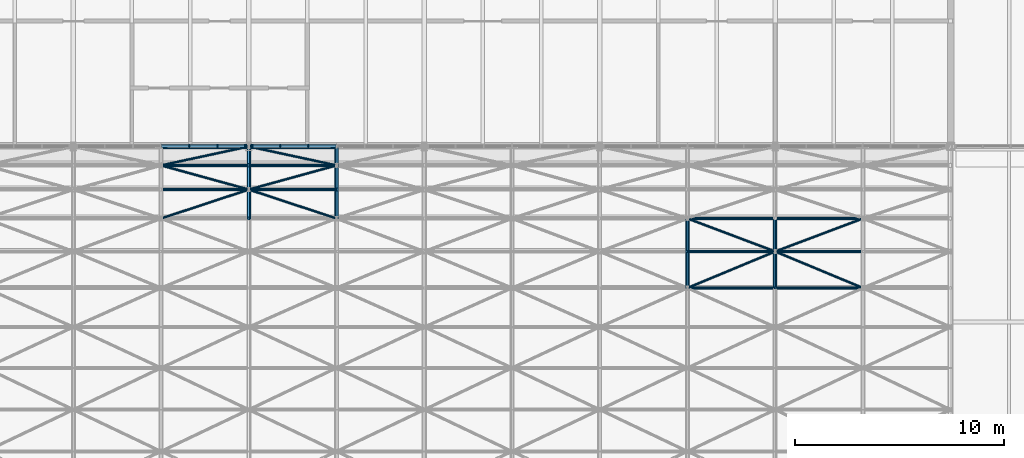
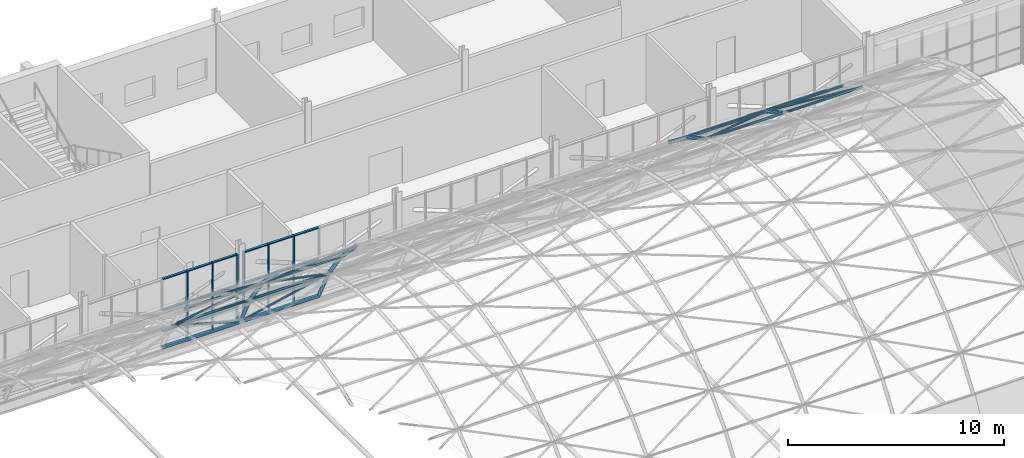
# One storey, part 53 of 121: 62 members, 2 elements without a shape of their own.
"""IFC4 building model written with IfcOpenShell, lengths in metres."""

from ifc_helpers import new_model, si_unit, direction, frame, origin, origin_2d, place, context, subcontext, project, spatial, rectangle, hollow_circle, extrude, material, layer, layer_set, material_profile, profile_set, type_object, element, aggregate, save


model = new_model("IFC4")

# Units and contexts
model_context = context("Model", 3, precision=1e-05, world=origin(), true_north=direction((0.0, 1.0)))
body_context = subcontext(model_context, "Body", "Model", "MODEL_VIEW")
ifc_project = project(units=[si_unit("LENGTHUNIT", "METRE"), si_unit("AREAUNIT", "SQUARE_METRE"), si_unit("VOLUMEUNIT", "CUBIC_METRE"), si_unit("PLANEANGLEUNIT", "RADIAN"), si_unit("MASSUNIT", "GRAM", prefix="KILO")], contexts=[model_context])

# Site, building, storey
site_placement = place(None, origin())
site = spatial("IfcSite", under=ifc_project, at=site_placement, CompositionType="ELEMENT")
building_placement = place(site_placement, origin())
building = spatial("IfcBuilding", under=site, at=building_placement, Name="Ardhachandra Cancer Care Centre", CompositionType="ELEMENT")
storey_placement = place(building_placement, frame((0.0, 0.0, 9.0)))
storey = spatial("IfcBuildingStorey", under=building, at=storey_placement, Name="L02", CompositionType="ELEMENT", Elevation=9.0)

# Curtain wall, members
ifc_material_1 = material(Name="Aluminium extrusion", Category="aluminium")
ifc_layer = layer(ifc_material_1, 0.14990234375)
ifc_layer_set = layer_set([ifc_layer], Name="Aluminium extrusion")
curtain_wall_type = type_object("IfcCurtainWallType", Name="Curtain wall run", PredefinedType="NOTDEFINED", material=ifc_layer_set)
curtain_wall_1_placement = place(storey_placement, origin())
curtain_wall_1 = element("IfcCurtainWall", 1, at=curtain_wall_1_placement, inside=storey, type_object=curtain_wall_type, Name="Curtain wall L02 s/0069600_0079800", PredefinedType="NOTDEFINED")
ifc_material_2 = material(Name="Aluminium extrusion", Category="aluminium")
ifc_material_profile_1 = material_profile(ifc_material_2, rectangle(XDim=0.159912109375, YDim=0.06005859375, at=origin_2d()), Name="Curtain wall mullion 60 x 160")
ifc_profile_set_1 = profile_set([ifc_material_profile_1], Name="Aluminium extrusion")
member_type_1 = type_object("IfcMemberType", Name="Curtain wall mullion 60 x 160", PredefinedType="MULLION", material=ifc_profile_set_1)
member_1_placement = place(storey_placement, frame((75.14990234375, 79.800048828125, 0.0), z_axis=(0.0, 0.0, 1.0), x_axis=(0.0, 1.0, 0.0)))
member_1 = element("IfcMember", 2, at=member_1_placement, type_object=member_type_1, Name="CW mullion 5", PredefinedType="MULLION", context=body_context, shape_type="SweptSolid", body=[
    extrude(rectangle(XDim=0.159912109375, YDim=0.06005859375, at=origin_2d()), origin(), (0.0, 0.0, 1.0), 3.885986328125),
])
member_2_placement = place(storey_placement, frame((76.5, 79.800048828125, 0.0), z_axis=(0.0, 0.0, 1.0), x_axis=(0.0, 1.0, 0.0)))
member_2 = element("IfcMember", 3, at=member_2_placement, type_object=member_type_1, Name="CW mullion 6", PredefinedType="MULLION", context=body_context, shape_type="SweptSolid", body=[
    extrude(rectangle(XDim=0.159912109375, YDim=0.06005859375, at=origin_2d()), origin(), (0.0, 0.0, 1.0), 3.885986328125),
])
member_3_placement = place(storey_placement, frame((77.820068359375, 79.800048828125, 0.0), z_axis=(0.0, 0.0, 1.0), x_axis=(0.0, 1.0, 0.0)))
member_3 = element("IfcMember", 4, at=member_3_placement, type_object=member_type_1, Name="CW mullion 7", PredefinedType="MULLION", context=body_context, shape_type="SweptSolid", body=[
    extrude(rectangle(XDim=0.159912109375, YDim=0.06005859375, at=origin_2d()), origin(), (0.0, 0.0, 1.0), 3.885986328125),
])

curtain_wall_2_placement = place(storey_placement, origin())
curtain_wall_2 = element("IfcCurtainWall", 5, at=curtain_wall_2_placement, inside=storey, type_object=curtain_wall_type, Name="Curtain wall L02 s/0078000_0079800", PredefinedType="NOTDEFINED")
member_4_placement = place(storey_placement, frame((78.179931640625, 79.800048828125, 0.0), z_axis=(0.0, 0.0, 1.0), x_axis=(0.0, 1.0, 0.0)))
member_4 = element("IfcMember", 6, at=member_4_placement, type_object=member_type_1, Name="CW mullion 1", PredefinedType="MULLION", context=body_context, shape_type="SweptSolid", body=[
    extrude(rectangle(XDim=0.159912109375, YDim=0.06005859375, at=origin_2d()), origin(), (0.0, 0.0, 1.0), 3.885986328125),
])
member_5_placement = place(storey_placement, frame((79.5, 79.800048828125, 0.0), z_axis=(0.0, 0.0, 1.0), x_axis=(0.0, 1.0, 0.0)))
member_5 = element("IfcMember", 7, at=member_5_placement, type_object=member_type_1, Name="CW mullion 2", PredefinedType="MULLION", context=body_context, shape_type="SweptSolid", body=[
    extrude(rectangle(XDim=0.159912109375, YDim=0.06005859375, at=origin_2d()), origin(), (0.0, 0.0, 1.0), 3.885986328125),
])
member_6_placement = place(storey_placement, frame((80.85009765625, 79.800048828125, 0.0), z_axis=(0.0, 0.0, 1.0), x_axis=(0.0, 1.0, 0.0)))
member_6 = element("IfcMember", 8, at=member_6_placement, type_object=member_type_1, Name="CW mullion 3", PredefinedType="MULLION", context=body_context, shape_type="SweptSolid", body=[
    extrude(rectangle(XDim=0.159912109375, YDim=0.06005859375, at=origin_2d()), origin(), (0.0, 0.0, 1.0), 3.885986328125),
])

# Member
ifc_material_3 = material(Name="Aluminium extrusion", Category="aluminium")
ifc_material_profile_2 = material_profile(ifc_material_3, rectangle(XDim=0.1201171875, YDim=0.06005859375, at=origin_2d()), Name="Curtain wall transom 60 x 120")
ifc_profile_set_2 = profile_set([ifc_material_profile_2], Name="Aluminium extrusion")
member_type_2 = type_object("IfcMemberType", Name="Curtain wall transom 60 x 120", PredefinedType="USERDEFINED", material=ifc_profile_set_2)
member_7_placement = place(storey_placement, frame((73.830078125, 79.800048828125, 0.030029296875), z_axis=(1.0, 0.0, 0.0), x_axis=(0.0, 1.0, 0.0)))
member_7 = element("IfcMember", 9, at=member_7_placement, type_object=member_type_2, Name="CW transom 4.1", ObjectType="TRANSOM", PredefinedType="USERDEFINED", context=body_context, shape_type="SweptSolid", body=[
    extrude(rectangle(XDim=0.1201171875, YDim=0.06005859375, at=origin_2d()), origin(), (0.0, 0.0, 1.0), 1.2900390625),
])

member_8_placement = place(storey_placement, frame((73.830078125, 79.800048828125, 0.89990234375), z_axis=(1.0, 0.0, 0.0), x_axis=(0.0, 1.0, 0.0)))
member_8 = element("IfcMember", 10, at=member_8_placement, type_object=member_type_2, Name="CW transom 4.2", ObjectType="TRANSOM", PredefinedType="USERDEFINED", context=body_context, shape_type="SweptSolid", body=[
    extrude(rectangle(XDim=0.1201171875, YDim=0.06005859375, at=origin_2d()), origin(), (0.0, 0.0, 1.0), 1.2900390625),
])

member_9_placement = place(storey_placement, frame((73.830078125, 79.800048828125, 2.10009765625), z_axis=(1.0, 0.0, 0.0), x_axis=(0.0, 1.0, 0.0)))
member_9 = element("IfcMember", 11, at=member_9_placement, type_object=member_type_2, Name="CW transom 4.3", ObjectType="TRANSOM", PredefinedType="USERDEFINED", context=body_context, shape_type="SweptSolid", body=[
    extrude(rectangle(XDim=0.1201171875, YDim=0.06005859375, at=origin_2d()), origin(), (0.0, 0.0, 1.0), 1.2900390625),
])

member_10_placement = place(storey_placement, frame((73.830078125, 79.800048828125, 3.85595703125), z_axis=(1.0, 0.0, 0.0), x_axis=(0.0, 1.0, 0.0)))
member_10 = element("IfcMember", 12, at=member_10_placement, type_object=member_type_2, Name="CW transom 4.4", ObjectType="TRANSOM", PredefinedType="USERDEFINED", context=body_context, shape_type="SweptSolid", body=[
    extrude(rectangle(XDim=0.1201171875, YDim=0.06005859375, at=origin_2d()), origin(), (0.0, 0.0, 1.0), 1.2900390625),
])

member_11_placement = place(storey_placement, frame((75.179931640625, 79.800048828125, 0.030029296875), z_axis=(1.0, 0.0, 0.0), x_axis=(0.0, 1.0, 0.0)))
member_11 = element("IfcMember", 13, at=member_11_placement, type_object=member_type_2, Name="CW transom 5.1", ObjectType="TRANSOM", PredefinedType="USERDEFINED", context=body_context, shape_type="SweptSolid", body=[
    extrude(rectangle(XDim=0.1201171875, YDim=0.06005859375, at=origin_2d()), origin(), (0.0, 0.0, 1.0), 1.2900390625),
])

member_12_placement = place(storey_placement, frame((75.179931640625, 79.800048828125, 0.89990234375), z_axis=(1.0, 0.0, 0.0), x_axis=(0.0, 1.0, 0.0)))
member_12 = element("IfcMember", 14, at=member_12_placement, type_object=member_type_2, Name="CW transom 5.2", ObjectType="TRANSOM", PredefinedType="USERDEFINED", context=body_context, shape_type="SweptSolid", body=[
    extrude(rectangle(XDim=0.1201171875, YDim=0.06005859375, at=origin_2d()), origin(), (0.0, 0.0, 1.0), 1.2900390625),
])

member_13_placement = place(storey_placement, frame((75.179931640625, 79.800048828125, 2.10009765625), z_axis=(1.0, 0.0, 0.0), x_axis=(0.0, 1.0, 0.0)))
member_13 = element("IfcMember", 15, at=member_13_placement, type_object=member_type_2, Name="CW transom 5.3", ObjectType="TRANSOM", PredefinedType="USERDEFINED", context=body_context, shape_type="SweptSolid", body=[
    extrude(rectangle(XDim=0.1201171875, YDim=0.06005859375, at=origin_2d()), origin(), (0.0, 0.0, 1.0), 1.2900390625),
])

member_14_placement = place(storey_placement, frame((75.179931640625, 79.800048828125, 3.85595703125), z_axis=(1.0, 0.0, 0.0), x_axis=(0.0, 1.0, 0.0)))
member_14 = element("IfcMember", 16, at=member_14_placement, type_object=member_type_2, Name="CW transom 5.4", ObjectType="TRANSOM", PredefinedType="USERDEFINED", context=body_context, shape_type="SweptSolid", body=[
    extrude(rectangle(XDim=0.1201171875, YDim=0.06005859375, at=origin_2d()), origin(), (0.0, 0.0, 1.0), 1.2900390625),
])

member_15_placement = place(storey_placement, frame((76.530029296875, 79.800048828125, 0.030029296875), z_axis=(1.0, 0.0, 0.0), x_axis=(0.0, 1.0, 0.0)))
member_15 = element("IfcMember", 17, at=member_15_placement, type_object=member_type_2, Name="CW transom 6.1", ObjectType="TRANSOM", PredefinedType="USERDEFINED", context=body_context, shape_type="SweptSolid", body=[
    extrude(rectangle(XDim=0.1201171875, YDim=0.06005859375, at=origin_2d()), origin(), (0.0, 0.0, 1.0), 1.260009765625),
])

member_16_placement = place(storey_placement, frame((76.530029296875, 79.800048828125, 0.89990234375), z_axis=(1.0, 0.0, 0.0), x_axis=(0.0, 1.0, 0.0)))
member_16 = element("IfcMember", 18, at=member_16_placement, type_object=member_type_2, Name="CW transom 6.2", ObjectType="TRANSOM", PredefinedType="USERDEFINED", context=body_context, shape_type="SweptSolid", body=[
    extrude(rectangle(XDim=0.1201171875, YDim=0.06005859375, at=origin_2d()), origin(), (0.0, 0.0, 1.0), 1.260009765625),
])

member_17_placement = place(storey_placement, frame((76.530029296875, 79.800048828125, 2.10009765625), z_axis=(1.0, 0.0, 0.0), x_axis=(0.0, 1.0, 0.0)))
member_17 = element("IfcMember", 19, at=member_17_placement, type_object=member_type_2, Name="CW transom 6.3", ObjectType="TRANSOM", PredefinedType="USERDEFINED", context=body_context, shape_type="SweptSolid", body=[
    extrude(rectangle(XDim=0.1201171875, YDim=0.06005859375, at=origin_2d()), origin(), (0.0, 0.0, 1.0), 1.260009765625),
])

member_18_placement = place(storey_placement, frame((76.530029296875, 79.800048828125, 3.85595703125), z_axis=(1.0, 0.0, 0.0), x_axis=(0.0, 1.0, 0.0)))
member_18 = element("IfcMember", 20, at=member_18_placement, type_object=member_type_2, Name="CW transom 6.4", ObjectType="TRANSOM", PredefinedType="USERDEFINED", context=body_context, shape_type="SweptSolid", body=[
    extrude(rectangle(XDim=0.1201171875, YDim=0.06005859375, at=origin_2d()), origin(), (0.0, 0.0, 1.0), 1.260009765625),
])

aggregate(curtain_wall_1, [member_1, member_2, member_3, member_7, member_8, member_9, member_10, member_11, member_12, member_13, member_14, member_15, member_16, member_17, member_18])

member_19_placement = place(storey_placement, frame((78.2099609375, 79.800048828125, 0.030029296875), z_axis=(1.0, 0.0, 0.0), x_axis=(0.0, 1.0, 0.0)))
member_19 = element("IfcMember", 21, at=member_19_placement, type_object=member_type_2, Name="CW transom 1.1", ObjectType="TRANSOM", PredefinedType="USERDEFINED", context=body_context, shape_type="SweptSolid", body=[
    extrude(rectangle(XDim=0.1201171875, YDim=0.06005859375, at=origin_2d()), origin(), (0.0, 0.0, 1.0), 1.260009765625),
])

member_20_placement = place(storey_placement, frame((78.2099609375, 79.800048828125, 0.89990234375), z_axis=(1.0, 0.0, 0.0), x_axis=(0.0, 1.0, 0.0)))
member_20 = element("IfcMember", 22, at=member_20_placement, type_object=member_type_2, Name="CW transom 1.2", ObjectType="TRANSOM", PredefinedType="USERDEFINED", context=body_context, shape_type="SweptSolid", body=[
    extrude(rectangle(XDim=0.1201171875, YDim=0.06005859375, at=origin_2d()), origin(), (0.0, 0.0, 1.0), 1.260009765625),
])

member_21_placement = place(storey_placement, frame((78.2099609375, 79.800048828125, 2.10009765625), z_axis=(1.0, 0.0, 0.0), x_axis=(0.0, 1.0, 0.0)))
member_21 = element("IfcMember", 23, at=member_21_placement, type_object=member_type_2, Name="CW transom 1.3", ObjectType="TRANSOM", PredefinedType="USERDEFINED", context=body_context, shape_type="SweptSolid", body=[
    extrude(rectangle(XDim=0.1201171875, YDim=0.06005859375, at=origin_2d()), origin(), (0.0, 0.0, 1.0), 1.260009765625),
])

member_22_placement = place(storey_placement, frame((78.2099609375, 79.800048828125, 3.85595703125), z_axis=(1.0, 0.0, 0.0), x_axis=(0.0, 1.0, 0.0)))
member_22 = element("IfcMember", 24, at=member_22_placement, type_object=member_type_2, Name="CW transom 1.4", ObjectType="TRANSOM", PredefinedType="USERDEFINED", context=body_context, shape_type="SweptSolid", body=[
    extrude(rectangle(XDim=0.1201171875, YDim=0.06005859375, at=origin_2d()), origin(), (0.0, 0.0, 1.0), 1.260009765625),
])

member_23_placement = place(storey_placement, frame((79.530029296875, 79.800048828125, 0.030029296875), z_axis=(1.0, 0.0, 0.0), x_axis=(0.0, 1.0, 0.0)))
member_23 = element("IfcMember", 25, at=member_23_placement, type_object=member_type_2, Name="CW transom 2.1", ObjectType="TRANSOM", PredefinedType="USERDEFINED", context=body_context, shape_type="SweptSolid", body=[
    extrude(rectangle(XDim=0.1201171875, YDim=0.06005859375, at=origin_2d()), origin(), (0.0, 0.0, 1.0), 1.2900390625),
])

member_24_placement = place(storey_placement, frame((79.530029296875, 79.800048828125, 0.89990234375), z_axis=(1.0, 0.0, 0.0), x_axis=(0.0, 1.0, 0.0)))
member_24 = element("IfcMember", 26, at=member_24_placement, type_object=member_type_2, Name="CW transom 2.2", ObjectType="TRANSOM", PredefinedType="USERDEFINED", context=body_context, shape_type="SweptSolid", body=[
    extrude(rectangle(XDim=0.1201171875, YDim=0.06005859375, at=origin_2d()), origin(), (0.0, 0.0, 1.0), 1.2900390625),
])

member_25_placement = place(storey_placement, frame((79.530029296875, 79.800048828125, 2.10009765625), z_axis=(1.0, 0.0, 0.0), x_axis=(0.0, 1.0, 0.0)))
member_25 = element("IfcMember", 27, at=member_25_placement, type_object=member_type_2, Name="CW transom 2.3", ObjectType="TRANSOM", PredefinedType="USERDEFINED", context=body_context, shape_type="SweptSolid", body=[
    extrude(rectangle(XDim=0.1201171875, YDim=0.06005859375, at=origin_2d()), origin(), (0.0, 0.0, 1.0), 1.2900390625),
])

member_26_placement = place(storey_placement, frame((79.530029296875, 79.800048828125, 3.85595703125), z_axis=(1.0, 0.0, 0.0), x_axis=(0.0, 1.0, 0.0)))
member_26 = element("IfcMember", 28, at=member_26_placement, type_object=member_type_2, Name="CW transom 2.4", ObjectType="TRANSOM", PredefinedType="USERDEFINED", context=body_context, shape_type="SweptSolid", body=[
    extrude(rectangle(XDim=0.1201171875, YDim=0.06005859375, at=origin_2d()), origin(), (0.0, 0.0, 1.0), 1.2900390625),
])

member_27_placement = place(storey_placement, frame((80.8798828125, 79.800048828125, 0.030029296875), z_axis=(1.0, 0.0, 0.0), x_axis=(0.0, 1.0, 0.0)))
member_27 = element("IfcMember", 29, at=member_27_placement, type_object=member_type_2, Name="CW transom 3.1", ObjectType="TRANSOM", PredefinedType="USERDEFINED", context=body_context, shape_type="SweptSolid", body=[
    extrude(rectangle(XDim=0.1201171875, YDim=0.06005859375, at=origin_2d()), origin(), (0.0, 0.0, 1.0), 1.2900390625),
])

member_28_placement = place(storey_placement, frame((80.8798828125, 79.800048828125, 0.89990234375), z_axis=(1.0, 0.0, 0.0), x_axis=(0.0, 1.0, 0.0)))
member_28 = element("IfcMember", 30, at=member_28_placement, type_object=member_type_2, Name="CW transom 3.2", ObjectType="TRANSOM", PredefinedType="USERDEFINED", context=body_context, shape_type="SweptSolid", body=[
    extrude(rectangle(XDim=0.1201171875, YDim=0.06005859375, at=origin_2d()), origin(), (0.0, 0.0, 1.0), 1.2900390625),
])

member_29_placement = place(storey_placement, frame((80.8798828125, 79.800048828125, 2.10009765625), z_axis=(1.0, 0.0, 0.0), x_axis=(0.0, 1.0, 0.0)))
member_29 = element("IfcMember", 31, at=member_29_placement, type_object=member_type_2, Name="CW transom 3.3", ObjectType="TRANSOM", PredefinedType="USERDEFINED", context=body_context, shape_type="SweptSolid", body=[
    extrude(rectangle(XDim=0.1201171875, YDim=0.06005859375, at=origin_2d()), origin(), (0.0, 0.0, 1.0), 1.2900390625),
])

member_30_placement = place(storey_placement, frame((80.8798828125, 79.800048828125, 3.85595703125), z_axis=(1.0, 0.0, 0.0), x_axis=(0.0, 1.0, 0.0)))
member_30 = element("IfcMember", 32, at=member_30_placement, type_object=member_type_2, Name="CW transom 3.4", ObjectType="TRANSOM", PredefinedType="USERDEFINED", context=body_context, shape_type="SweptSolid", body=[
    extrude(rectangle(XDim=0.1201171875, YDim=0.06005859375, at=origin_2d()), origin(), (0.0, 0.0, 1.0), 1.2900390625),
])

aggregate(curtain_wall_2, [member_4, member_5, member_6, member_19, member_20, member_21, member_22, member_23, member_24, member_25, member_26, member_27, member_28, member_29, member_30])

# Members
ifc_material_4 = material(Name="Steel E350 (IS 2062)", Category="steel")
ifc_material_profile_3 = material_profile(ifc_material_4, hollow_circle(Radius=0.05712890625, WallThickness=0.0048828125, at=origin_2d()), Name="CHS 114.3x5.0")
ifc_profile_set_3 = profile_set([ifc_material_profile_3], Name="Steel E350 (IS 2062)")
member_type_3 = type_object("IfcMemberType", Name="Hall shell Diagonal CHS 114.3x5.0", PredefinedType="BRACE", material=ifc_profile_set_3)
for number, where, z_axis, x_axis, name in (
    (33, (73.800048828125, 76.353515625, 4.8759765625), (0.902457097304, 0.297496610987, -0.311555699639), (-0.313079224057, 0.949727013128, 0.0), "Hall shell diagonal 07-13"),
    (34, (78.0, 77.738037109375, 3.426025390625), (-0.902461325562, 0.248605721202, -0.351793620253), (-0.265582388334, -0.964088167652, 0.0), "Hall shell diagonal 08-14"),
    (35, (73.800048828125, 78.89501953125, 1.788818359375), (0.902463534711, 0.194467960424, -0.384371930409), (-0.210650483477, 0.977561442474, 0.0), "Hall shell diagonal 07-15"),
    (36, (82.199951171875, 76.353515625, 4.8759765625), (-0.902457097304, 0.297496610987, -0.311555699639), (-0.313079224057, -0.949727013128, 0.0), "Hall shell diagonal 09-13"),
    (37, (78.0, 77.738037109375, 3.426025390625), (0.902461325562, 0.248605721202, -0.351793620253), (-0.265582388334, 0.964088167652, 0.0), "Hall shell diagonal 08-14"),
    (38, (82.199951171875, 78.89501953125, 1.788818359375), (-0.902463534711, 0.194467960424, -0.384371930409), (-0.210650483477, -0.977561442474, 0.0), "Hall shell diagonal 09-15"),
):
    element("IfcMember", number, at=place(storey_placement, frame(where, z_axis=z_axis, x_axis=x_axis)), inside=storey, type_object=member_type_3, Name=name, PredefinedType="BRACE", context=body_context, shape_type="SweptSolid", body=[
        extrude(hollow_circle(Radius=0.05712890625, WallThickness=0.0048828125, at=origin_2d()), origin(), (0.0, 0.0, 1.0), 4.65380859375),
    ])
member_31_placement = place(storey_placement, frame((99.0, 73.0263671875, 7.093994140625), z_axis=(0.902449746112, 0.375028380803, -0.211986247982), x_axis=(-0.383750001753, 0.923437023383, 0.0)))
element("IfcMember", 39, at=member_31_placement, inside=storey, type_object=member_type_3, Name="Hall shell diagonal 13-11", PredefinedType="BRACE", context=body_context, shape_type="SweptSolid", body=[
    extrude(hollow_circle(Radius=0.05712890625, WallThickness=0.0048828125, at=origin_2d()), origin(), (0.0, 0.0, 1.0), 4.654052734375),
])
member_32_placement = place(storey_placement, frame((103.199951171875, 74.771728515625, 6.107421875), z_axis=(-0.902472725391, 0.339889599942, -0.264609220884), x_axis=(-0.352452515066, -0.935829698515, 0.0)))
element("IfcMember", 40, at=member_32_placement, inside=storey, type_object=member_type_3, Name="Hall shell diagonal 14-12", PredefinedType="BRACE", context=body_context, shape_type="SweptSolid", body=[
    extrude(hollow_circle(Radius=0.05712890625, WallThickness=0.0048828125, at=origin_2d()), origin(), (0.0, 0.0, 1.0), 4.65380859375),
])
member_33_placement = place(storey_placement, frame((107.39990234375, 73.0263671875, 7.093994140625), z_axis=(-0.902449746112, 0.375028380803, -0.211986247982), x_axis=(-0.383750001753, -0.923437023383, 0.0)))
element("IfcMember", 41, at=member_33_placement, inside=storey, type_object=member_type_3, Name="Hall shell diagonal 15-11", PredefinedType="BRACE", context=body_context, shape_type="SweptSolid", body=[
    extrude(hollow_circle(Radius=0.05712890625, WallThickness=0.0048828125, at=origin_2d()), origin(), (0.0, 0.0, 1.0), 4.654052734375),
])
member_34_placement = place(storey_placement, frame((103.199951171875, 74.771728515625, 6.107421875), z_axis=(0.902472725391, 0.339889599942, -0.264609220884), x_axis=(-0.352452515066, 0.935829698515, 0.0)))
element("IfcMember", 42, at=member_34_placement, inside=storey, type_object=member_type_3, Name="Hall shell diagonal 14-12", PredefinedType="BRACE", context=body_context, shape_type="SweptSolid", body=[
    extrude(hollow_circle(Radius=0.05712890625, WallThickness=0.0048828125, at=origin_2d()), origin(), (0.0, 0.0, 1.0), 4.65380859375),
])
ifc_material_5 = material(Name="Steel E350 (IS 2062)", Category="steel")
ifc_material_profile_4 = material_profile(ifc_material_5, hollow_circle(Radius=0.06982421875, WallThickness=0.0048828125, at=origin_2d()), Name="CHS 139.7x5.0")
ifc_profile_set_4 = profile_set([ifc_material_profile_4], Name="Steel E350 (IS 2062)")
member_type_4 = type_object("IfcMemberType", Name="Hall shell Purlin CHS 139.7x5.0", PredefinedType="PURLIN", material=ifc_profile_set_4)
for number, where, z_axis, x_axis, name in (
    (43, (99.0, 73.0263671875, 7.093994140625), (1.0, 0.0, 0.0), (0.0, 1.0, 0.0), "Hall shell purlin 13-11"),
    (44, (103.199951171875, 73.0263671875, 7.093994140625), (1.0, 0.0, 0.0), (0.0, 1.0, 0.0), "Hall shell purlin 14-11"),
    (45, (99.0, 74.771728515625, 6.107421875), (1.0, 0.0, 0.0), (0.0, 1.0, 0.0), "Hall shell purlin 13-12"),
    (46, (103.199951171875, 74.771728515625, 6.107421875), (1.0, 0.0, 0.0), (0.0, 1.0, 0.0), "Hall shell purlin 14-12"),
    (47, (99.0, 76.353515625, 4.8759765625), (1.0, 0.0, 0.0), (0.0, 1.0, 0.0), "Hall shell purlin 13-13"),
    (48, (103.199951171875, 76.353515625, 4.8759765625), (1.0, 0.0, 0.0), (0.0, 1.0, 0.0), "Hall shell purlin 14-13"),
    (49, (73.800048828125, 77.738037109375, 3.426025390625), (1.0, 0.0, 0.0), (0.0, 1.0, 0.0), "Hall shell purlin 07-14"),
    (50, (78.0, 77.738037109375, 3.426025390625), (1.0, 0.0, 0.0), (0.0, 1.0, 0.0), "Hall shell purlin 08-14"),
    (51, (73.800048828125, 78.89501953125, 1.788818359375), (1.0, 0.0, 0.0), (0.0, 1.0, 0.0), "Hall shell purlin 07-15"),
    (52, (78.0, 78.89501953125, 1.788818359375), (1.0, 0.0, 0.0), (0.0, 1.0, 0.0), "Hall shell purlin 08-15"),
):
    element("IfcMember", number, at=place(storey_placement, frame(where, z_axis=z_axis, x_axis=x_axis)), inside=storey, type_object=member_type_4, Name=name, PredefinedType="PURLIN", context=body_context, shape_type="SweptSolid", body=[
        extrude(hollow_circle(Radius=0.06982421875, WallThickness=0.0048828125, at=origin_2d()), origin(), (0.0, 0.0, 1.0), 4.199951171875),
    ])
ifc_material_6 = material(Name="Steel E350 (IS 2062)", Category="steel")
ifc_material_profile_5 = material_profile(ifc_material_6, hollow_circle(Radius=0.109619140625, WallThickness=0.008056640625, at=origin_2d()), Name="CHS 219.1x8.0")
ifc_profile_set_5 = profile_set([ifc_material_profile_5], Name="Steel E350 (IS 2062)")
member_type_5 = type_object("IfcMemberType", Name="Hall shell Purlin CHS 219.1x8.0", PredefinedType="PURLIN", material=ifc_profile_set_5)
for number, where, z_axis, x_axis, name in (
    (53, (73.800048828125, 79.800048828125, 0.0), (1.0, 0.0, 0.0), (0.0, 1.0, 0.0), "Hall shell purlin 07-16"),
    (54, (78.0, 79.800048828125, 0.0), (1.0, 0.0, 0.0), (0.0, 1.0, 0.0), "Hall shell purlin 08-16"),
):
    element("IfcMember", number, at=place(storey_placement, frame(where, z_axis=z_axis, x_axis=x_axis)), inside=storey, type_object=member_type_5, Name=name, PredefinedType="PURLIN", context=body_context, shape_type="SweptSolid", body=[
        extrude(hollow_circle(Radius=0.109619140625, WallThickness=0.008056640625, at=origin_2d()), origin(), (0.0, 0.0, 1.0), 4.199951171875),
    ])
ifc_material_7 = material(Name="Steel E350 (IS 2062)", Category="steel")
ifc_material_profile_6 = material_profile(ifc_material_7, hollow_circle(Radius=0.096923828125, WallThickness=0.008056640625, at=origin_2d()), Name="CHS 193.7x8.0")
ifc_profile_set_6 = profile_set([ifc_material_profile_6], Name="Steel E350 (IS 2062)")
member_type_6 = type_object("IfcMemberType", Name="Hall shell Rib CHS 193.7x8.0", PredefinedType="RAFTER", material=ifc_profile_set_6)
member_35_placement = place(storey_placement, frame((78.0, 76.353515625, 4.8759765625), z_axis=(0.0, 0.690600278641, -0.723236652239), x_axis=(-1.0, 0.0, 0.0)))
element("IfcMember", 55, at=member_35_placement, inside=storey, type_object=member_type_6, Name="Hall shell rib 08-13", PredefinedType="RAFTER", context=body_context, shape_type="SweptSolid", body=[
    extrude(hollow_circle(Radius=0.096923828125, WallThickness=0.008056640625, at=origin_2d()), origin(), (0.0, 0.0, 1.0), 2.0048828125),
])
for number, where, z_axis, x_axis, name in (
    (56, (78.0, 77.738037109375, 3.426025390625), (0.0, 0.577118207202, -0.816660624076), (-1.0, 0.0, 0.0), "Hall shell rib 08-14"),
    (57, (78.0, 78.89501953125, 1.788818359375), (0.0, 0.451446595645, -0.892298140355), (-1.0, 0.0, 0.0), "Hall shell rib 08-15"),
):
    element("IfcMember", number, at=place(storey_placement, frame(where, z_axis=z_axis, x_axis=x_axis)), inside=storey, type_object=member_type_6, Name=name, PredefinedType="RAFTER", context=body_context, shape_type="SweptSolid", body=[
        extrude(hollow_circle(Radius=0.096923828125, WallThickness=0.008056640625, at=origin_2d()), origin(), (0.0, 0.0, 1.0), 2.004638671875),
    ])
member_36_placement = place(storey_placement, frame((82.199951171875, 76.353515625, 4.8759765625), z_axis=(0.0, 0.690600278641, -0.723236652239), x_axis=(-1.0, 0.0, 0.0)))
element("IfcMember", 58, at=member_36_placement, inside=storey, type_object=member_type_6, Name="Hall shell rib 09-13", PredefinedType="RAFTER", context=body_context, shape_type="SweptSolid", body=[
    extrude(hollow_circle(Radius=0.096923828125, WallThickness=0.008056640625, at=origin_2d()), origin(), (0.0, 0.0, 1.0), 2.0048828125),
])
for number, where, z_axis, x_axis, name in (
    (59, (82.199951171875, 77.738037109375, 3.426025390625), (0.0, 0.577118207202, -0.816660624076), (-1.0, 0.0, 0.0), "Hall shell rib 09-14"),
    (60, (82.199951171875, 78.89501953125, 1.788818359375), (0.0, 0.451446595645, -0.892298140355), (-1.0, 0.0, 0.0), "Hall shell rib 09-15"),
):
    element("IfcMember", number, at=place(storey_placement, frame(where, z_axis=z_axis, x_axis=x_axis)), inside=storey, type_object=member_type_6, Name=name, PredefinedType="RAFTER", context=body_context, shape_type="SweptSolid", body=[
        extrude(hollow_circle(Radius=0.096923828125, WallThickness=0.008056640625, at=origin_2d()), origin(), (0.0, 0.0, 1.0), 2.004638671875),
    ])
member_37_placement = place(storey_placement, frame((99.0, 73.0263671875, 7.093994140625), z_axis=(0.0, 0.870549230609, -0.492081331779), x_axis=(-1.0, 0.0, 0.0)))
element("IfcMember", 61, at=member_37_placement, inside=storey, type_object=member_type_6, Name="Hall shell rib 13-11", PredefinedType="RAFTER", context=body_context, shape_type="SweptSolid", body=[
    extrude(hollow_circle(Radius=0.096923828125, WallThickness=0.008056640625, at=origin_2d()), origin(), (0.0, 0.0, 1.0), 2.0048828125),
])
member_38_placement = place(storey_placement, frame((99.0, 74.771728515625, 6.107421875), z_axis=(0.0, 0.789070146017, -0.614303104879), x_axis=(-1.0, 0.0, 0.0)))
element("IfcMember", 62, at=member_38_placement, inside=storey, type_object=member_type_6, Name="Hall shell rib 13-12", PredefinedType="RAFTER", context=body_context, shape_type="SweptSolid", body=[
    extrude(hollow_circle(Radius=0.096923828125, WallThickness=0.008056640625, at=origin_2d()), origin(), (0.0, 0.0, 1.0), 2.004638671875),
])
member_39_placement = place(storey_placement, frame((103.199951171875, 73.0263671875, 7.093994140625), z_axis=(0.0, 0.870549230609, -0.492081331779), x_axis=(-1.0, 0.0, 0.0)))
element("IfcMember", 63, at=member_39_placement, inside=storey, type_object=member_type_6, Name="Hall shell rib 14-11", PredefinedType="RAFTER", context=body_context, shape_type="SweptSolid", body=[
    extrude(hollow_circle(Radius=0.096923828125, WallThickness=0.008056640625, at=origin_2d()), origin(), (0.0, 0.0, 1.0), 2.0048828125),
])
member_40_placement = place(storey_placement, frame((103.199951171875, 74.771728515625, 6.107421875), z_axis=(0.0, 0.789070146017, -0.614303104879), x_axis=(-1.0, 0.0, 0.0)))
element("IfcMember", 64, at=member_40_placement, inside=storey, type_object=member_type_6, Name="Hall shell rib 14-12", PredefinedType="RAFTER", context=body_context, shape_type="SweptSolid", body=[
    extrude(hollow_circle(Radius=0.096923828125, WallThickness=0.008056640625, at=origin_2d()), origin(), (0.0, 0.0, 1.0), 2.004638671875),
])

save(model, "model.ifc")
